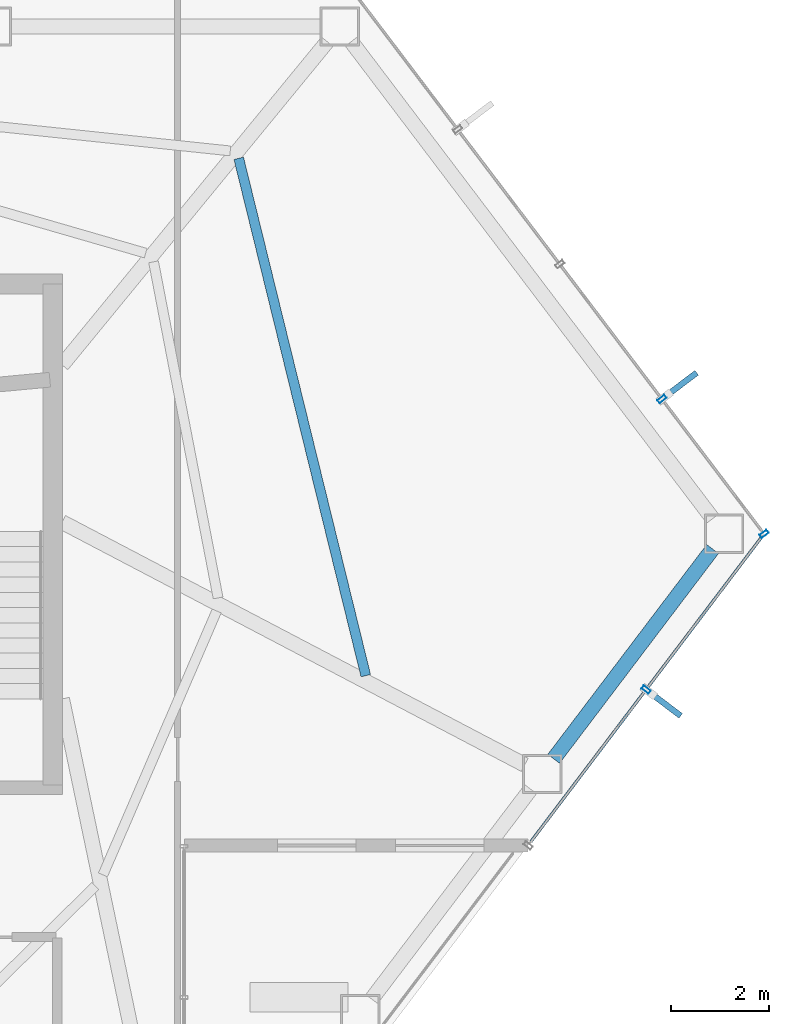
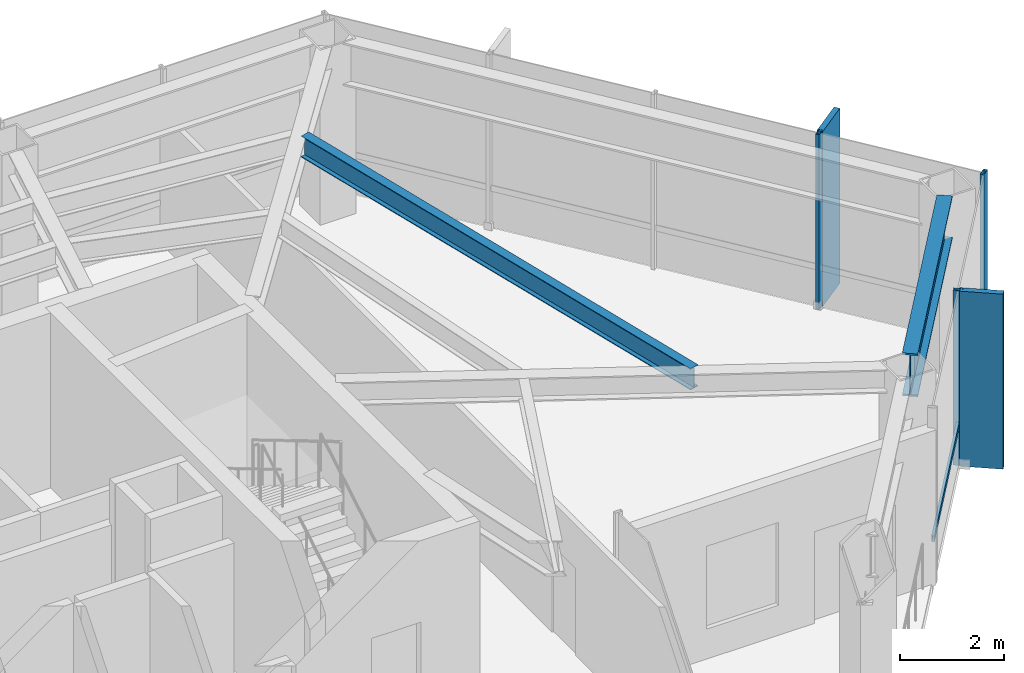
# One storey, part 18 of 27: 6 members, 2 beams, 2 elements without a shape of their own.
"""IFC4 building model written with IfcOpenShell, lengths in metres."""

import ifcopenshell
import ifcopenshell.guid

model = None  # the IFC model being written
_history = None  # IfcOwnerHistory: only IFC2X3 demands one
_inside = {}  # id of a spatial element -> (the spatial element, [elements in it])
_under = {}  # id of a project, library or spatial element -> (it, [spatial elements below it])
_declared = {}  # id of a project -> (the project, [libraries it declares])
_typed = {}  # id of a type object -> (the type object, [elements of that type])
_made_of = {}  # id of a material, layer set ... -> (it, [elements and type objects made of it])


def new_model(schema):
    """Start an empty IFC model of exactly this schema.

    Asked for "IFC4X3", IfcOpenShell would pick the latest addendum, in which some entities
    have other attributes; the version numbers below select the first issue.
    IFC2X3 requires an IfcOwnerHistory on every rooted entity: one is made here for all.
    """
    global model, _history
    if schema == "IFC4X3":
        model = ifcopenshell.file(schema_version=(4, 3, 0, 0))
    else:
        model = ifcopenshell.file(schema=schema)
    _inside.clear()
    _under.clear()
    _declared.clear()
    _typed.clear()
    _made_of.clear()
    _history = None
    if model.schema == "IFC2X3":
        org = make("IfcOrganization", Name="unknown")
        user = make(
            "IfcPersonAndOrganization",
            ThePerson=make("IfcPerson", FamilyName="unknown"),
            TheOrganization=org,
        )
        app = make(
            "IfcApplication",
            ApplicationDeveloper=org,
            Version="unknown",
            ApplicationFullName="unknown",
            ApplicationIdentifier="unknown",
        )
        _history = make(
            "IfcOwnerHistory",
            OwningUser=user,
            OwningApplication=app,
            ChangeAction="ADDED",
            CreationDate=0,
        )
    return model


def make(cls, **values):
    """One entity of the class cls with the attributes given. An attribute that is None is left unset."""
    return model.create_entity(
        cls, **{name: value for name, value in values.items() if value is not None}
    )


def rooted(cls, **values):
    """An entity with a GlobalId (a new one), such as an element, a storey or a relation."""
    return make(cls, GlobalId=ifcopenshell.guid.new(), OwnerHistory=_history, **values)


def si_unit(unit_type, name, prefix=None):
    """IfcSIUnit, for example si_unit("LENGTHUNIT", "METRE", prefix="MILLI")."""
    return make("IfcSIUnit", UnitType=unit_type, Prefix=prefix, Name=name)


def assignment(units):
    """IfcUnitAssignment: the units of a project."""
    return None if units is None else make("IfcUnitAssignment", Units=units)


def point(xyz):
    """IfcCartesianPoint."""
    return None if xyz is None else make("IfcCartesianPoint", Coordinates=xyz)


def direction(xyz):
    """IfcDirection."""
    return None if xyz is None else make("IfcDirection", DirectionRatios=xyz)


def frame(location, z_axis=None, x_axis=None):
    """IfcAxis2Placement3D, a coordinate frame: its origin and axes. An axis left out is left unset."""
    return make(
        "IfcAxis2Placement3D",
        Location=point(location),
        Axis=direction(z_axis),
        RefDirection=direction(x_axis),
    )


def frame_2d(location, x_axis=None):
    """IfcAxis2Placement2D, a coordinate frame in the plane: its origin and x axis."""
    return make(
        "IfcAxis2Placement2D", Location=point(location), RefDirection=direction(x_axis)
    )


def origin():
    """The frame at (0, 0, 0) with its axes left unset."""
    return frame((0.0, 0.0, 0.0))


def origin_2d():
    """The frame at (0, 0) in the plane with its x axis left unset."""
    return frame_2d((0.0, 0.0))


def place(relative_to, where):
    """IfcLocalPlacement: puts the frame where relative to a parent placement (None: the world)."""
    return make(
        "IfcLocalPlacement", PlacementRelTo=relative_to, RelativePlacement=where
    )


def context(
    kind, dimensions, precision=None, world=None, true_north=None, identifier=None
):
    """IfcGeometricRepresentationContext, for example the 3D "Model" context."""
    return make(
        "IfcGeometricRepresentationContext",
        ContextIdentifier=identifier,
        ContextType=kind,
        CoordinateSpaceDimension=dimensions,
        Precision=precision,
        WorldCoordinateSystem=world,
        TrueNorth=true_north,
    )


def subcontext(parent, identifier, kind, view, scale=None):
    """IfcGeometricRepresentationSubContext, for example "Body" below "Model"."""
    return make(
        "IfcGeometricRepresentationSubContext",
        ContextIdentifier=identifier,
        ContextType=kind,
        ParentContext=parent,
        TargetScale=scale,
        TargetView=view,
    )


def project(units=None, contexts=None):
    """IfcProject with its units and contexts."""
    return rooted(
        "IfcProject",
        Name="project",
        RepresentationContexts=contexts,
        UnitsInContext=assignment(units),
    )


def spatial(cls, under=None, at=None, **own):
    """A site, building, storey or space (cls), placed at a placement, below another one or the project."""
    s = rooted(cls, ObjectPlacement=at, **own)
    if under is not None:
        _under.setdefault(under.id(), (under, []))[1].append(s)
    return s


def profile(cls, at=None, kind="AREA", **sizes):
    """A parametric profile (cls). Its sizes go by their IFC names, for example OverallWidth=200.0."""
    return make(cls, ProfileType=kind, Position=at, **sizes)


def rectangle(**sizes):
    """IfcRectangleProfileDef."""
    return profile("IfcRectangleProfileDef", **sizes)


def hollow_rectangle(**sizes):
    """IfcRectangleHollowProfileDef."""
    return profile("IfcRectangleHollowProfileDef", **sizes)


def i_section(**sizes):
    """IfcIShapeProfileDef."""
    return profile("IfcIShapeProfileDef", **sizes)


def extrude(swept, where, along, depth):
    """IfcExtrudedAreaSolid: the profile swept, set in the frame where, extruded along a direction by depth."""
    return make(
        "IfcExtrudedAreaSolid",
        SweptArea=swept,
        Position=where,
        ExtrudedDirection=direction(along),
        Depth=depth,
    )


def shape(context_of_items, identifier, shape_type, items):
    """IfcShapeRepresentation: the items that make up one representation, for example the "Body"."""
    return make(
        "IfcShapeRepresentation",
        ContextOfItems=context_of_items,
        RepresentationIdentifier=identifier,
        RepresentationType=shape_type,
        Items=items,
    )


def material(Name=None, Category=None):
    """IfcMaterial."""
    return make("IfcMaterial", Name=Name, Category=Category)


def layer(
    of_material, thickness, ventilated=None, Name=None, Category=None, Priority=None
):
    """IfcMaterialLayer: one layer of a wall or slab, of a material (None: an air gap)."""
    return make(
        "IfcMaterialLayer",
        Material=of_material,
        LayerThickness=thickness,
        IsVentilated=ventilated,
        Name=Name,
        Category=Category,
        Priority=Priority,
    )


def layer_set(layers, Name=None):
    """IfcMaterialLayerSet."""
    return make("IfcMaterialLayerSet", MaterialLayers=layers, LayerSetName=Name)


def material_profile(
    of_material, cross_section, Name=None, Category=None, Priority=None
):
    """IfcMaterialProfile: a cross section and its material."""
    return make(
        "IfcMaterialProfile",
        Name=Name,
        Material=of_material,
        Profile=cross_section,
        Priority=Priority,
        Category=Category,
    )


def profile_set(profiles, Name=None, composite=None):
    """IfcMaterialProfileSet."""
    return make(
        "IfcMaterialProfileSet",
        Name=Name,
        MaterialProfiles=profiles,
        CompositeProfile=composite,
    )


def made_of(thing, what):
    """Note that an element or type object is made of a material, layer set ...; save() writes the relation."""
    if what is not None:
        _made_of.setdefault(what.id(), (what, []))[1].append(thing)
    return thing


def type_object(cls, material=None, **own):
    """A type object (cls), such as IfcWallType, which elements share."""
    return made_of(rooted(cls, **own), material)


def element(
    cls,
    number,
    at=None,
    inside=None,
    cuts=None,
    type_object=None,
    material=None,
    context=None,
    identifier="Body",
    shape_type=None,
    held_by="IfcProductDefinitionShape",
    body=None,
    shapes=None,
    **own,
):
    """One element of the class cls, such as IfcWall. Its Tag is "e" and its number.

    at: its placement. inside: the storey or other place that contains it. cuts: it is an
    opening in that element (IfcRelVoidsElement). A single representation is given by context,
    identifier, shape_type and body (its items); several are given by shapes. held_by: the class
    of the entity that holds the representations. save() writes the other relations.
    """
    e = rooted(cls, Tag="e%d" % number, ObjectPlacement=at, **own)
    if body is not None:
        shapes = [shape(context, identifier, shape_type, body)]
    if shapes is not None:
        e.Representation = make(held_by, Representations=shapes)
    if inside is not None:
        _inside.setdefault(inside.id(), (inside, []))[1].append(e)
    if cuts is not None:
        rooted(
            "IfcRelVoidsElement", RelatingBuildingElement=cuts, RelatedOpeningElement=e
        )
    if type_object is not None:
        _typed.setdefault(type_object.id(), (type_object, []))[1].append(e)
    return made_of(e, material)


def aggregate(whole, parts):
    """IfcRelAggregates: a whole, such as a stair, and the parts it consists of."""
    return rooted("IfcRelAggregates", RelatingObject=whole, RelatedObjects=parts)


def save(model, path):
    """Write the relations noted so far, then the file.

    IfcRelAggregates (storeys below a building ...), IfcRelContainedInSpatialStructure (elements
    in a storey), IfcRelDefinesByType, IfcRelAssociatesMaterial and IfcRelDeclares: one each for
    every whole, place, type object, material and project.
    """
    for whole, parts in _under.values():
        aggregate(whole, parts)
    for where, things in _inside.values():
        rooted(
            "IfcRelContainedInSpatialStructure",
            RelatedElements=things,
            RelatingStructure=where,
        )
    for kind, things in _typed.values():
        rooted("IfcRelDefinesByType", RelatedObjects=things, RelatingType=kind)
    for what, things in _made_of.values():
        rooted("IfcRelAssociatesMaterial", RelatedObjects=things, RelatingMaterial=what)
    for by, libraries in _declared.values():
        rooted("IfcRelDeclares", RelatingContext=by, RelatedDefinitions=libraries)
    model.write(path)


model = new_model("IFC4")

# Units and contexts
model_context = context("Model", 3, precision=1e-05, world=origin(), true_north=direction((0.0, 1.0)))
body_context = subcontext(model_context, "Body", "Model", "MODEL_VIEW")
ifc_project = project(units=[si_unit("LENGTHUNIT", "METRE"), si_unit("AREAUNIT", "SQUARE_METRE"), si_unit("VOLUMEUNIT", "CUBIC_METRE"), si_unit("PLANEANGLEUNIT", "RADIAN"), si_unit("MASSUNIT", "GRAM", prefix="KILO")], contexts=[model_context])

# Site, building, storey
site_placement = place(None, origin())
site = spatial("IfcSite", under=ifc_project, at=site_placement, CompositionType="ELEMENT")
building_placement = place(site_placement, origin())
building = spatial("IfcBuilding", under=site, at=building_placement, Name="Zarrinselat Tower", CompositionType="ELEMENT")
storey_placement = place(building_placement, frame((0.0, 0.0, 114.580078125)))
storey = spatial("IfcBuildingStorey", under=building, at=storey_placement, Name="L27", CompositionType="ELEMENT", Elevation=114.580078125)

# Beams
ifc_material_1 = material(Name="Steel S460M", Category="steel")
ifc_material_profile_1 = material_profile(ifc_material_1, i_section(OverallWidth=0.302001953125, OverallDepth=1.008056640625, WebThickness=0.02099609375, FlangeThickness=0.0400390625, at=origin_2d()), Name="HEM 1000")
ifc_profile_set_1 = profile_set([ifc_material_profile_1], Name="Steel S460M")
beam_type_1 = type_object("IfcBeamType", Name="BM-HEM1000", PredefinedType="BEAM", material=ifc_profile_set_1)
beam_1_placement = place(storey_placement, frame((58.4599609375, 33.77978515625, 3.615966796875), z_axis=(0.603848041991, 0.797099455641, 0.0), x_axis=(-0.797099455641, 0.603848041991, 0.0)))
element("IfcBeam", 1, at=beam_1_placement, inside=storey, type_object=beam_type_1, Name="L27 Perimeter Spandrel Girder SP14", PredefinedType="BEAM", context=body_context, shape_type="SweptSolid", body=[
    extrude(i_section(OverallWidth=0.302001953125, OverallDepth=1.008056640625, WebThickness=0.02099609375, FlangeThickness=0.0400390625, at=origin_2d()), origin(), (0.0, 0.0, 1.0), 5.3603515625),
])
ifc_material_2 = material(Name="Steel S355J2", Category="steel")
ifc_material_profile_2 = material_profile(ifc_material_2, i_section(OverallWidth=0.199951171875, OverallDepth=0.5, WebThickness=0.01025390625, FlangeThickness=0.01611328125, at=origin_2d()), Name="IPE 500")
ifc_profile_set_2 = profile_set([ifc_material_profile_2], Name="Steel S355J2")
beam_type_2 = type_object("IfcBeamType", Name="BM-IPE500", PredefinedType="JOIST", material=ifc_profile_set_2)
beam_2_placement = place(storey_placement, frame((52.04638671875, 46.009033203125, 3.869873046875), z_axis=(0.238487870975, -0.971145475919, 0.0), x_axis=(0.971145475919, 0.238487870975, 0.0)))
element("IfcBeam", 2, at=beam_2_placement, inside=storey, type_object=beam_type_2, Name="L27 Composite Floor Joist 5-1", PredefinedType="JOIST", context=body_context, shape_type="SweptSolid", body=[
    extrude(i_section(OverallWidth=0.199951171875, OverallDepth=0.5, WebThickness=0.01025390625, FlangeThickness=0.01611328125, at=origin_2d()), origin(), (0.0, 0.0, 1.0), 10.84814453125),
])

# Curtain wall, members
ifc_material_3 = material(Name="Extruded Aluminium Alloy EN AW-6063 T6", Category="aluminium")
ifc_layer = layer(ifc_material_3, 0.195068359375)
ifc_layer_set = layer_set([ifc_layer], Name="Extruded Aluminium Alloy EN AW-6063 T6")
curtain_wall_type = type_object("IfcCurtainWallType", Name="CWS-GDN", PredefinedType="NOTDEFINED", material=ifc_layer_set)
curtain_wall_1_placement = place(storey_placement, origin())
curtain_wall_1 = element("IfcCurtainWall", 3, at=curtain_wall_1_placement, inside=storey, type_object=curtain_wall_type, Name="L27 Unitised Curtain Wall CW-L27-E05", PredefinedType="NOTDEFINED")
ifc_material_4 = material(Name="Extruded Aluminium Alloy EN AW-6063 T6", Category="aluminium")
ifc_material_profile_3 = material_profile(ifc_material_4, hollow_rectangle(XDim=0.080078125, YDim=0.179931640625, WallThickness=0.0048828125, at=origin_2d()), Name="RHS 180x80x5")
ifc_profile_set_3 = profile_set([ifc_material_profile_3], Name="Extruded Aluminium Alloy EN AW-6063 T6")
member_type_1 = type_object("IfcMemberType", Name="MEM-CW-MUL", PredefinedType="MULLION", material=ifc_profile_set_3)
member_1_placement = place(storey_placement, frame((60.66650390625, 41.107421875, 0.0), z_axis=(0.0, 0.0, 1.0), x_axis=(0.603856430388, -0.797093100885, 0.0)))
member_1 = element("IfcMember", 4, at=member_1_placement, type_object=member_type_1, Name="CW-L27-E05 Mullion 3", PredefinedType="MULLION", context=body_context, shape_type="SweptSolid", body=[
    extrude(hollow_rectangle(XDim=0.080078125, YDim=0.179931640625, WallThickness=0.0048828125, at=origin_2d()), origin(), (0.0, 0.0, 1.0), 4.119873046875),
])
member_2_placement = place(storey_placement, frame((62.74658203125, 38.36181640625, 0.0), z_axis=(0.0, 0.0, 1.0), x_axis=(0.603856430388, -0.797093100885, 0.0)))
member_2 = element("IfcMember", 5, at=member_2_placement, type_object=member_type_1, Name="CW-L27-E05 Mullion 4", PredefinedType="MULLION", context=body_context, shape_type="SweptSolid", body=[
    extrude(hollow_rectangle(XDim=0.080078125, YDim=0.179931640625, WallThickness=0.0048828125, at=origin_2d()), origin(), (0.0, 0.0, 1.0), 4.119873046875),
])

curtain_wall_2_placement = place(storey_placement, origin())
curtain_wall_2 = element("IfcCurtainWall", 6, at=curtain_wall_2_placement, inside=storey, type_object=curtain_wall_type, Name="L27 Unitised Curtain Wall CW-L27-E06", PredefinedType="NOTDEFINED")
member_3_placement = place(storey_placement, frame((60.34228515625, 35.188232421875, 0.0), z_axis=(0.0, 0.0, 1.0), x_axis=(-0.60386042105, -0.79709007765, 0.0)))
member_3 = element("IfcMember", 7, at=member_3_placement, type_object=member_type_1, Name="CW-L27-E06 Mullion 1", PredefinedType="MULLION", context=body_context, shape_type="SweptSolid", body=[
    extrude(hollow_rectangle(XDim=0.080078125, YDim=0.179931640625, WallThickness=0.0048828125, at=origin_2d()), origin(), (0.0, 0.0, 1.0), 4.119873046875),
])
ifc_material_5 = material(Name="Extruded Aluminium Alloy EN AW-6063 T6", Category="aluminium")
ifc_material_profile_4 = material_profile(ifc_material_5, hollow_rectangle(XDim=0.06005859375, YDim=0.139892578125, WallThickness=0.00390625, at=origin_2d()), Name="RHS 140x60x4")
ifc_profile_set_4 = profile_set([ifc_material_profile_4], Name="Extruded Aluminium Alloy EN AW-6063 T6")
member_type_2 = type_object("IfcMemberType", Name="MEM-CW-TRN", PredefinedType="USERDEFINED", material=ifc_profile_set_4)
member_4_placement = place(storey_placement, frame((62.692138671875, 38.2900390625, 0.949951171875), z_axis=(-0.603852856105, -0.797095808654, 0.0), x_axis=(0.797095808654, -0.603852856105, 0.0)))
member_4 = element("IfcMember", 8, at=member_4_placement, type_object=member_type_2, Name="CW-L27-E06 Transom 1", ObjectType="TRANSOM", PredefinedType="USERDEFINED", context=body_context, shape_type="SweptSolid", body=[
    extrude(hollow_rectangle(XDim=0.06005859375, YDim=0.139892578125, WallThickness=0.00390625, at=origin_2d()), origin(), (0.0, 0.0, 1.0), 7.782470703125),
])

# Member
ifc_material_6 = material(Name="Honed Cream Travertine Stone", Category="masonry")
ifc_material_profile_5 = material_profile(ifc_material_6, rectangle(XDim=0.1201171875, YDim=0.85009765625, at=origin_2d()), Name="FIN 850x120")
ifc_profile_set_5 = profile_set([ifc_material_profile_5], Name="Honed Cream Travertine Stone")
member_type_3 = type_object("IfcMemberType", Name="MEM-STONE-FIN", PredefinedType="USERDEFINED", material=ifc_profile_set_5)
member_5_placement = place(storey_placement, frame((61.033203125, 41.38525390625, 0.0), z_axis=(0.0, 0.0, 1.0), x_axis=(0.603856430388, -0.797093100885, 0.0)))
member_5 = element("IfcMember", 9, at=member_5_placement, type_object=member_type_3, Name="L27 Stone Shading Fin CW-L27-E05-03", ObjectType="FIN", PredefinedType="USERDEFINED", context=body_context, shape_type="SweptSolid", body=[
    extrude(rectangle(XDim=0.1201171875, YDim=0.85009765625, at=origin_2d()), origin(), (0.0, 0.0, 1.0), 4.119873046875),
])

aggregate(curtain_wall_1, [member_1, member_5, member_2])

member_6_placement = place(storey_placement, frame((60.708984375, 34.910400390625, 0.0), z_axis=(0.0, 0.0, 1.0), x_axis=(-0.60386042105, -0.79709007765, 0.0)))
member_6 = element("IfcMember", 10, at=member_6_placement, type_object=member_type_3, Name="L27 Stone Shading Fin CW-L27-E06-01", ObjectType="FIN", PredefinedType="USERDEFINED", context=body_context, shape_type="SweptSolid", body=[
    extrude(rectangle(XDim=0.1201171875, YDim=0.85009765625, at=origin_2d()), origin(), (0.0, 0.0, 1.0), 4.119873046875),
])

aggregate(curtain_wall_2, [member_3, member_6, member_4])

save(model, "model.ifc")
